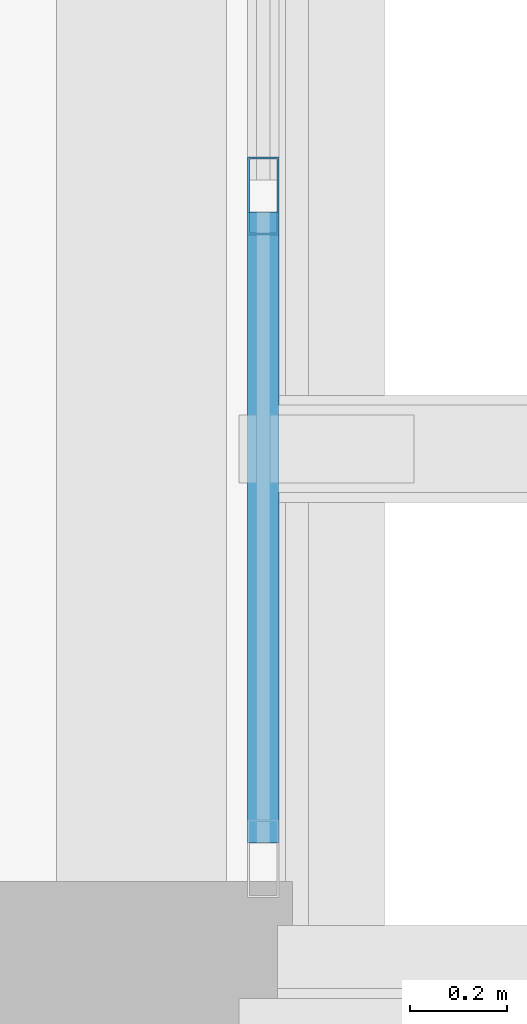
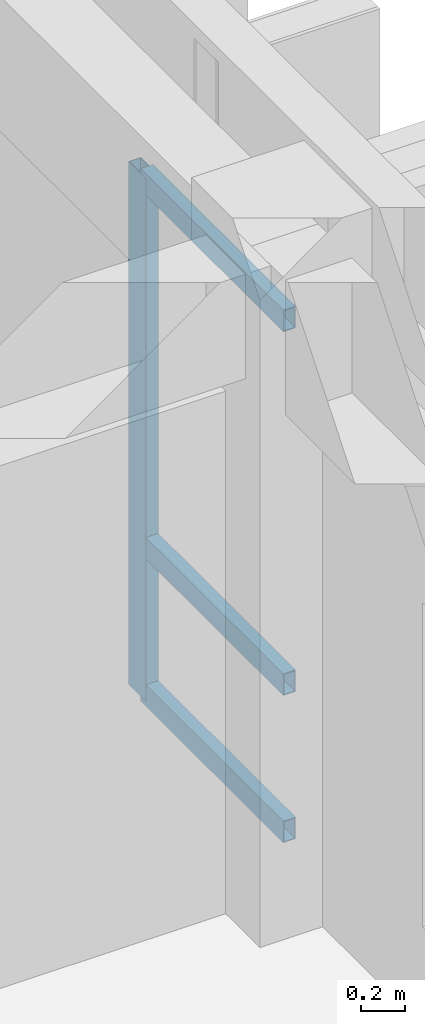
# One storey, part 27 of 50: 4 members, 1 element without a shape of its own.
"""IFC4 building model written with IfcOpenShell, lengths in metres."""

from ifc_helpers import new_model, si_unit, direction, frame, origin, origin_2d, place, context, subcontext, project, spatial, hollow_rectangle, extrude, material, layer, layer_set, material_profile, profile_set, type_object, element, aggregate, save


model = new_model("IFC4")

# Units and contexts
model_context = context("Model", 3, precision=1e-05, world=origin(), true_north=direction((0.0, 1.0)))
body_context = subcontext(model_context, "Body", "Model", "MODEL_VIEW")
ifc_project = project(units=[si_unit("LENGTHUNIT", "METRE"), si_unit("AREAUNIT", "SQUARE_METRE"), si_unit("VOLUMEUNIT", "CUBIC_METRE"), si_unit("PLANEANGLEUNIT", "RADIAN"), si_unit("MASSUNIT", "GRAM", prefix="KILO")], contexts=[model_context])

# Site, building, storey
site_placement = place(None, origin())
site = spatial("IfcSite", under=ifc_project, at=site_placement, CompositionType="ELEMENT")
building_placement = place(site_placement, origin())
building = spatial("IfcBuilding", under=site, at=building_placement, Name="Nakhvara Creek Congress Hotel", CompositionType="ELEMENT")
storey_placement = place(building_placement, frame((0.0, 0.0, 42.60009765625)))
storey = spatial("IfcBuildingStorey", under=building, at=storey_placement, Name="L10", CompositionType="ELEMENT", Elevation=42.60009765625)

# Curtain wall, members
ifc_material_1 = material(Name="Bronze-anodised aluminium AW-6063-T6 and double-silver low-E glass", Category="aluminium")
ifc_layer = layer(ifc_material_1, 0.199951171875)
ifc_layer_set = layer_set([ifc_layer], Name="Bronze-anodised aluminium AW-6063-T6 and double-silver low-E glass")
curtain_wall_type = type_object("IfcCurtainWallType", Name="CW-HTL-UNIT", PredefinedType="USERDEFINED", material=ifc_layer_set)
curtain_wall_placement = place(storey_placement, origin())
curtain_wall = element("IfcCurtainWall", 1, at=curtain_wall_placement, inside=storey, type_object=curtain_wall_type, Name="Curtain Wall CW326", ObjectType="UNITISED", PredefinedType="USERDEFINED")
ifc_material_2 = material(Name="Bronze-anodised aluminium AW-6063-T6", Category="aluminium")
ifc_material_profile_1 = material_profile(ifc_material_2, hollow_rectangle(XDim=0.06494140625, YDim=0.159912109375, WallThickness=0.00390625, at=origin_2d()), Name="ALU-MULL 65x160x4", Category="LoadBearing")
ifc_profile_set_1 = profile_set([ifc_material_profile_1], Name="Bronze-anodised aluminium AW-6063-T6")
member_type_1 = type_object("IfcMemberType", Name="CW-MULL-160", PredefinedType="MULLION", material=ifc_profile_set_1)
member_1_placement = place(storey_placement, frame((179.60009765625, 107.320068359375, 0.0), z_axis=(0.0, 0.0, 1.0), x_axis=(1.0, 0.0, 0.0)))
member_1 = element("IfcMember", 2, at=member_1_placement, type_object=member_type_1, Name="CW326 mullion 3", PredefinedType="MULLION", context=body_context, shape_type="SweptSolid", body=[
    extrude(hollow_rectangle(XDim=0.06494140625, YDim=0.159912109375, WallThickness=0.00390625, at=origin_2d()), origin(), (0.0, 0.0, 1.0), 2.90185546875),
])
ifc_material_profile_2 = material_profile(ifc_material_2, hollow_rectangle(XDim=0.06494140625, YDim=0.1201171875, WallThickness=0.00390625, at=origin_2d()), Name="ALU-TRAN 65x120x4", Category="LoadBearing")
ifc_profile_set_2 = profile_set([ifc_material_profile_2], Name="Bronze-anodised aluminium AW-6063-T6")
member_type_2 = type_object("IfcMemberType", Name="CW-TRAN-120", PredefinedType="USERDEFINED", material=ifc_profile_set_2)
member_2_placement = place(storey_placement, frame((179.60009765625, 107.28759765625, 0.032470703125), z_axis=(0.0, -1.0, 0.0), x_axis=(1.0, 0.0, 0.0)))
member_2 = element("IfcMember", 3, at=member_2_placement, type_object=member_type_2, Name="CW326 transom 3.1", ObjectType="TRANSOM", PredefinedType="USERDEFINED", context=body_context, shape_type="SweptSolid", body=[
    extrude(hollow_rectangle(XDim=0.06494140625, YDim=0.1201171875, WallThickness=0.00390625, at=origin_2d()), origin(), (0.0, 0.0, 1.0), 1.297607421875),
])
member_3_placement = place(storey_placement, frame((179.60009765625, 107.28759765625, 0.849853515625), z_axis=(0.0, -1.0, 0.0), x_axis=(1.0, 0.0, 0.0)))
member_3 = element("IfcMember", 4, at=member_3_placement, type_object=member_type_2, Name="CW326 transom 3.2", ObjectType="TRANSOM", PredefinedType="USERDEFINED", context=body_context, shape_type="SweptSolid", body=[
    extrude(hollow_rectangle(XDim=0.06494140625, YDim=0.1201171875, WallThickness=0.00390625, at=origin_2d()), origin(), (0.0, 0.0, 1.0), 1.297607421875),
])
member_4_placement = place(storey_placement, frame((179.60009765625, 107.28759765625, 2.869384765625), z_axis=(0.0, -1.0, 0.0), x_axis=(1.0, 0.0, 0.0)))
member_4 = element("IfcMember", 5, at=member_4_placement, type_object=member_type_2, Name="CW326 transom 3.3", ObjectType="TRANSOM", PredefinedType="USERDEFINED", context=body_context, shape_type="SweptSolid", body=[
    extrude(hollow_rectangle(XDim=0.06494140625, YDim=0.1201171875, WallThickness=0.00390625, at=origin_2d()), origin(), (0.0, 0.0, 1.0), 1.297607421875),
])
aggregate(curtain_wall, [member_1, member_2, member_3, member_4])

save(model, "model.ifc")
